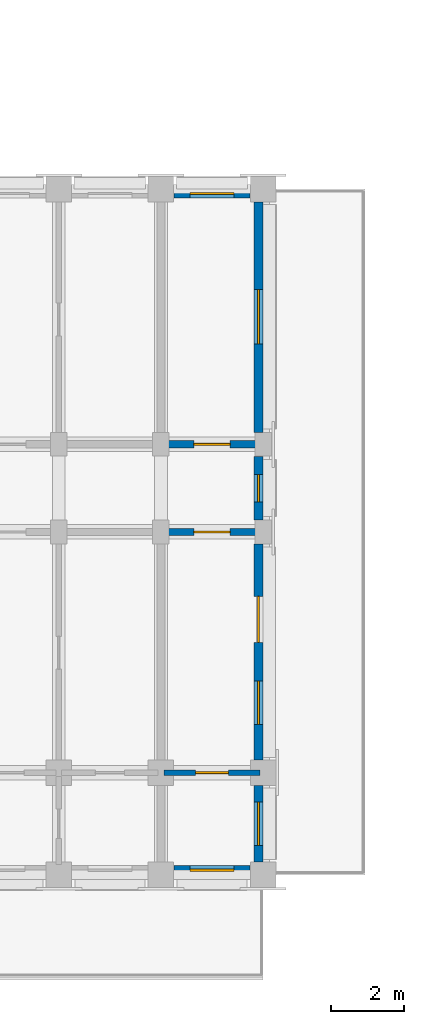
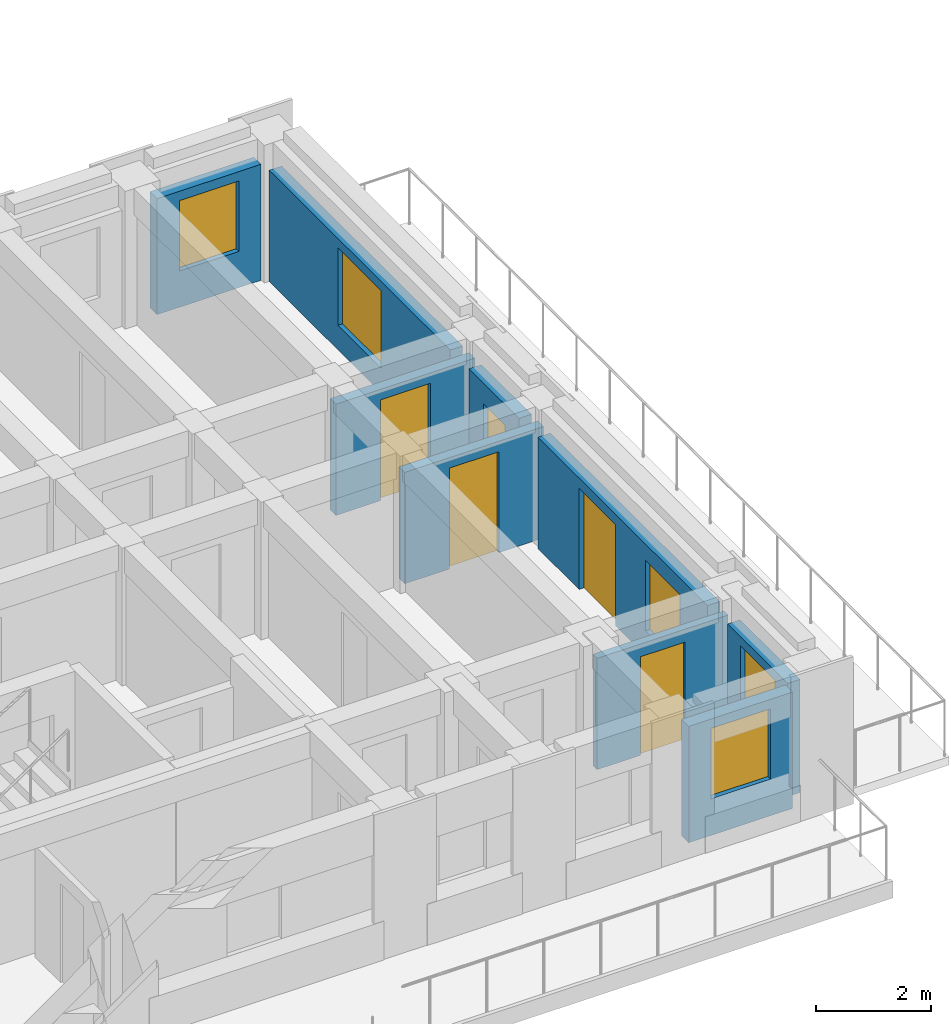
# One storey, part 22 of 54: 9 walls, 6 windows, 4 doors, 10 openings.
"""IFC4 building model written with IfcOpenShell, lengths in metres."""

from ifc_helpers import new_model, si_unit, direction, frame, frame_2d, origin, place, context, subcontext, project, spatial, rectangle, extrude, material, layer, layer_set, type_object, element, fill, save


model = new_model("IFC4")

# Units and contexts
model_context = context("Model", 3, precision=1e-05, world=origin(), true_north=direction((0.0, 1.0)))
body_context = subcontext(model_context, "Body", "Model", "MODEL_VIEW")
ifc_project = project(units=[si_unit("LENGTHUNIT", "METRE"), si_unit("AREAUNIT", "SQUARE_METRE"), si_unit("VOLUMEUNIT", "CUBIC_METRE"), si_unit("PLANEANGLEUNIT", "RADIAN"), si_unit("MASSUNIT", "GRAM", prefix="KILO")], contexts=[model_context])

# Site, building, storey
site_placement = place(None, origin())
site = spatial("IfcSite", under=ifc_project, at=site_placement, CompositionType="ELEMENT")
building_placement = place(site_placement, origin())
building = spatial("IfcBuilding", under=site, at=building_placement, Name="Kiranvali Square Residences", CompositionType="ELEMENT")
storey_placement = place(building_placement, frame((0.0, 0.0, 27.60009765625)))
storey = spatial("IfcBuildingStorey", under=building, at=storey_placement, Name="L08", CompositionType="ELEMENT", Elevation=27.60009765625)

# Wall, opening, door
ifc_material_1 = material(Name="Autoclaved aerated concrete blockwork masonry", Category="masonry")
ifc_layer_1 = layer(ifc_material_1, 0.199951171875)
ifc_layer_set_1 = layer_set([ifc_layer_1], Name="Autoclaved aerated concrete blockwork masonry")
wall_type_1 = type_object("IfcWallType", Name="WL-COR-200", PredefinedType="STANDARD", material=ifc_layer_set_1)
wall_1_placement = place(storey_placement, frame((65.0, 22.39990234375, 0.0), z_axis=(0.0, 0.0, 1.0), x_axis=(1.0, 0.0, 0.0)))
wall_1 = element("IfcWall", 1, at=wall_1_placement, inside=storey, type_object=wall_type_1, Name="L08 architectural wall WL-L08-C-A1CI-2", PredefinedType="STANDARD", context=body_context, shape_type="SweptSolid", body=[
    extrude(rectangle(XDim=2.800048828125, YDim=0.199951171875, at=frame_2d((1.39990234375, 0.0))), origin(), (0.0, 0.0, 1.0), 2.371826171875),
])
opening_1_placement = place(wall_1_placement, frame((0.89990234375, 0.0, 0.0)))
opening_1 = element("IfcOpeningElement", 2, at=opening_1_placement, cuts=wall_1, Name="Opening FD-APT-60", PredefinedType="OPENING", context=body_context, shape_type="SweptSolid", body=[
    extrude(rectangle(XDim=1.0, YDim=2.14990234375, at=frame_2d((0.5, 1.074951171875))), frame((0.0, 0.10986328125, 0.0), z_axis=(0.0, -1.0, 0.0), x_axis=(1.0, 0.0, 0.0)), (0.0, 0.0, 1.0), 0.219970703125),
])
ifc_material_2 = material(Name="Fire-rated acoustic hardwood and mineral-core door assembly", Category="wood")
door_type_1 = type_object("IfcDoorType", Name="DR-APT-1000", OperationType="NOTDEFINED", PredefinedType="DOOR", material=ifc_material_2)
door_1_placement = place(opening_1_placement, origin())
door_1 = element("IfcDoor", 3, at=door_1_placement, inside=storey, type_object=door_type_1, Name="L08 door DR-L08-2215 (DR-APT-1000)", OperationType="SINGLE_SWING_LEFT", OverallHeight=2.14990234375, OverallWidth=1.0, PredefinedType="DOOR", context=body_context, shape_type="SweptSolid", body=[
    extrude(rectangle(XDim=1.0, YDim=2.14990234375, at=frame_2d((0.5, 1.074951171875))), frame((0.0, 0.02490234375, 0.0), z_axis=(0.0, -1.0, 0.0), x_axis=(1.0, 0.0, 0.0)), (0.0, 0.0, 1.0), 0.050048828125),
])
fill(opening_1, door_1)

wall_2_placement = place(storey_placement, frame((65.0, 20.0, 0.0), z_axis=(0.0, 0.0, 1.0), x_axis=(1.0, 0.0, 0.0)))
wall_2 = element("IfcWall", 4, at=wall_2_placement, inside=storey, type_object=wall_type_1, Name="L08 architectural wall WL-L08-C-A1CO-2", PredefinedType="STANDARD", context=body_context, shape_type="SweptSolid", body=[
    extrude(rectangle(XDim=2.800048828125, YDim=0.199951171875, at=frame_2d((1.39990234375, 0.0))), origin(), (0.0, 0.0, 1.0), 2.371826171875),
])
opening_2_placement = place(wall_2_placement, frame((0.89990234375, 0.0, 0.0)))
opening_2 = element("IfcOpeningElement", 5, at=opening_2_placement, cuts=wall_2, Name="Opening FD-APT-60", PredefinedType="OPENING", context=body_context, shape_type="SweptSolid", body=[
    extrude(rectangle(XDim=1.0, YDim=2.14990234375, at=frame_2d((0.5, 1.074951171875))), frame((0.0, 0.10986328125, 0.0), z_axis=(0.0, -1.0, 0.0), x_axis=(1.0, 0.0, 0.0)), (0.0, 0.0, 1.0), 0.219970703125),
])
door_2_placement = place(opening_2_placement, origin())
door_2 = element("IfcDoor", 6, at=door_2_placement, inside=storey, type_object=door_type_1, Name="L08 door DR-L08-2217 (DR-APT-1000)", OperationType="SINGLE_SWING_LEFT", OverallHeight=2.14990234375, OverallWidth=1.0, PredefinedType="DOOR", context=body_context, shape_type="SweptSolid", body=[
    extrude(rectangle(XDim=1.0, YDim=2.14990234375, at=frame_2d((0.5, 1.074951171875))), frame((0.0, 0.02490234375, 0.0), z_axis=(0.0, -1.0, 0.0), x_axis=(1.0, 0.0, 0.0)), (0.0, 0.0, 1.0), 0.050048828125),
])
fill(opening_2, door_2)

# Wall, opening, window
ifc_material_3 = material(Name="Breathable lime-rendered clay brick masonry", Category="masonry")
ifc_layer_2 = layer(ifc_material_3, 0.25)
ifc_layer_set_2 = layer_set([ifc_layer_2], Name="Breathable lime-rendered clay brick masonry")
wall_type_2 = type_object("IfcWallType", Name="WL-EXT-250", PredefinedType="STANDARD", material=ifc_layer_set_2)
wall_3_placement = place(storey_placement, frame((65.353515625, 10.72509765625, 0.0), z_axis=(0.0, 0.0, 1.0), x_axis=(1.0, 0.0, 0.0)))
wall_3 = element("IfcWall", 7, at=wall_3_placement, inside=storey, type_object=wall_type_2, Name="L08 exterior wall C-L08-A1O-4", PredefinedType="STANDARD", context=body_context, shape_type="SweptSolid", body=[
    extrude(rectangle(XDim=2.093017578125, YDim=0.25, at=frame_2d((1.04638671875, 0.0))), origin(), (0.0, 0.0, 1.0), 2.47998046875),
])
opening_3_placement = place(wall_3_placement, frame((0.446533203125, 0.0, 0.780029296875)))
opening_3 = element("IfcOpeningElement", 8, at=opening_3_placement, cuts=wall_3, Name="Opening W-06", PredefinedType="OPENING", context=body_context, shape_type="SweptSolid", body=[
    extrude(rectangle(XDim=1.199951171875, YDim=1.5, at=frame_2d((0.60009765625, 0.75))), frame((0.0, 0.135009765625, 0.0), z_axis=(0.0, -1.0, 0.0), x_axis=(1.0, 0.0, 0.0)), (0.0, 0.0, 1.0), 0.27001953125),
])
ifc_material_4 = material(Name="Solar-control low-e double glazing", Category="glass")
window_type_1 = type_object("IfcWindowType", Name="WIN-RES-1200x1500", PartitioningType="SINGLE_PANEL", PredefinedType="WINDOW", material=ifc_material_4)
window_1_placement = place(opening_3_placement, origin())
window_1 = element("IfcWindow", 9, at=window_1_placement, inside=storey, type_object=window_type_1, Name="L08 recessed window C-L08-A1O-4", OverallHeight=1.5, OverallWidth=1.199951171875, PartitioningType="SINGLE_PANEL", PredefinedType="WINDOW", context=body_context, shape_type="SweptSolid", body=[
    extrude(rectangle(XDim=1.199951171875, YDim=1.5, at=frame_2d((0.60009765625, 0.75))), frame((0.0, 0.030029296875, 0.0), z_axis=(0.0, -1.0, 0.0), x_axis=(1.0, 0.0, 0.0)), (0.0, 0.0, 1.0), 0.06005859375),
])
fill(opening_3, window_1)

wall_4_placement = place(storey_placement, frame((65.353515625, 29.27490234375, 0.0), z_axis=(0.0, 0.0, 1.0), x_axis=(1.0, 0.0, 0.0)))
wall_4 = element("IfcWall", 10, at=wall_4_placement, inside=storey, type_object=wall_type_2, Name="L08 exterior wall C-L08-A1I-2", PredefinedType="STANDARD", context=body_context, shape_type="SweptSolid", body=[
    extrude(rectangle(XDim=2.093017578125, YDim=0.25, at=frame_2d((1.04638671875, 0.0))), origin(), (0.0, 0.0, 1.0), 2.471923828125),
])
opening_4_placement = place(wall_4_placement, frame((0.446533203125, 0.0, 0.77197265625)))
opening_4 = element("IfcOpeningElement", 11, at=opening_4_placement, cuts=wall_4, Name="Opening W-06", PredefinedType="OPENING", context=body_context, shape_type="SweptSolid", body=[
    extrude(rectangle(XDim=1.199951171875, YDim=1.5, at=frame_2d((0.60009765625, 0.75))), frame((0.0, 0.135009765625, 0.0), z_axis=(0.0, -1.0, 0.0), x_axis=(1.0, 0.0, 0.0)), (0.0, 0.0, 1.0), 0.27001953125),
])
window_2_placement = place(opening_4_placement, origin())
window_2 = element("IfcWindow", 12, at=window_2_placement, inside=storey, type_object=window_type_1, Name="L08 recessed window C-L08-A1I-2", OverallHeight=1.5, OverallWidth=1.199951171875, PartitioningType="SINGLE_PANEL", PredefinedType="WINDOW", context=body_context, shape_type="SweptSolid", body=[
    extrude(rectangle(XDim=1.199951171875, YDim=1.5, at=frame_2d((0.60009765625, 0.75))), frame((0.0, 0.030029296875, 0.0), z_axis=(0.0, -1.0, 0.0), x_axis=(1.0, 0.0, 0.0)), (0.0, 0.0, 1.0), 0.06005859375),
])
fill(opening_4, window_2)

wall_5_placement = place(storey_placement, frame((67.675048828125, 29.04638671875, 0.0), z_axis=(0.0, 0.0, 1.0), x_axis=(0.0, -1.0, 0.0)))
wall_5 = element("IfcWall", 13, at=wall_5_placement, inside=storey, type_object=wall_type_2, Name="L08 exterior wall C-L08-A1END-0", PredefinedType="STANDARD", context=body_context, shape_type="SweptSolid", body=[
    extrude(rectangle(XDim=6.31787109375, YDim=0.25, at=frame_2d((3.158935546875, 0.0))), origin(), (0.0, 0.0, 1.0), 2.371826171875),
])
opening_5_placement = place(wall_5_placement, frame((2.396484375, 0.0, 0.52197265625)))
opening_5 = element("IfcOpeningElement", 14, at=opening_5_placement, cuts=wall_5, Name="Opening W-05", PredefinedType="OPENING", context=body_context, shape_type="SweptSolid", body=[
    extrude(rectangle(XDim=1.5, YDim=1.64990234375, at=frame_2d((0.75, 0.824951171875))), frame((0.0, 0.135009765625, 0.0), z_axis=(0.0, -1.0, 0.0), x_axis=(1.0, 0.0, 0.0)), (0.0, 0.0, 1.0), 0.27001953125),
])
window_type_2 = type_object("IfcWindowType", Name="WIN-RES-1500x1650", PartitioningType="DOUBLE_PANEL_VERTICAL", PredefinedType="WINDOW", material=ifc_material_4)
window_3_placement = place(opening_5_placement, origin())
window_3 = element("IfcWindow", 15, at=window_3_placement, inside=storey, type_object=window_type_2, Name="L08 recessed window C-L08-A1END-0", OverallHeight=1.64990234375, OverallWidth=1.5, PartitioningType="DOUBLE_PANEL_VERTICAL", PredefinedType="WINDOW", context=body_context, shape_type="SweptSolid", body=[
    extrude(rectangle(XDim=1.5, YDim=1.64990234375, at=frame_2d((0.75, 0.824951171875))), frame((0.0, 0.030029296875, 0.0), z_axis=(0.0, -1.0, 0.0), x_axis=(1.0, 0.0, 0.0)), (0.0, 0.0, 1.0), 0.06005859375),
])
fill(opening_5, window_3)

wall_6_placement = place(storey_placement, frame((67.675048828125, 22.071533203125, 0.0), z_axis=(0.0, 0.0, 1.0), x_axis=(0.0, -1.0, 0.0)))
wall_6 = element("IfcWall", 16, at=wall_6_placement, inside=storey, type_object=wall_type_2, Name="L08 exterior wall C-L08-A1END-1", PredefinedType="STANDARD", context=body_context, shape_type="SweptSolid", body=[
    extrude(rectangle(XDim=1.742919921875, YDim=0.25, at=frame_2d((0.87158203125, 0.0))), origin(), (0.0, 0.0, 1.0), 2.371826171875),
])
opening_6_placement = place(wall_6_placement, frame((0.49658203125, 0.0, 0.8798828125)))
opening_6 = element("IfcOpeningElement", 17, at=opening_6_placement, cuts=wall_6, Name="Opening W-07", PredefinedType="OPENING", context=body_context, shape_type="SweptSolid", body=[
    extrude(rectangle(XDim=0.75, YDim=1.050048828125, at=frame_2d((0.375, 0.52490234375))), frame((0.0, 0.135009765625, 0.0), z_axis=(0.0, -1.0, 0.0), x_axis=(1.0, 0.0, 0.0)), (0.0, 0.0, 1.0), 0.27001953125),
])
window_type_3 = type_object("IfcWindowType", Name="WIN-WET-750x1050", PartitioningType="SINGLE_PANEL", PredefinedType="WINDOW", material=ifc_material_4)
window_4_placement = place(opening_6_placement, origin())
window_4 = element("IfcWindow", 18, at=window_4_placement, inside=storey, type_object=window_type_3, Name="L08 recessed window C-L08-A1END-1", OverallHeight=1.050048828125, OverallWidth=0.75, PartitioningType="SINGLE_PANEL", PredefinedType="WINDOW", context=body_context, shape_type="SweptSolid", body=[
    extrude(rectangle(XDim=0.75, YDim=1.050048828125, at=frame_2d((0.375, 0.52490234375))), frame((0.0, 0.030029296875, 0.0), z_axis=(0.0, -1.0, 0.0), x_axis=(1.0, 0.0, 0.0)), (0.0, 0.0, 1.0), 0.06005859375),
])
fill(opening_6, window_4)

# Wall, openings, door, window
wall_7_placement = place(storey_placement, frame((67.675048828125, 19.67138671875, 0.0), z_axis=(0.0, 0.0, 1.0), x_axis=(0.0, -1.0, 0.0)))
wall_7 = element("IfcWall", 19, at=wall_7_placement, inside=storey, type_object=wall_type_2, Name="L08 exterior wall C-L08-A1END-2", PredefinedType="STANDARD", context=body_context, shape_type="SweptSolid", body=[
    extrude(rectangle(XDim=5.91796875, YDim=0.25, at=frame_2d((2.958984375, 0.0))), origin(), (0.0, 0.0, 1.0), 2.371826171875),
])
opening_7_placement = place(wall_7_placement, frame((3.75390625, 0.0, 0.52197265625)))
opening_7 = element("IfcOpeningElement", 20, at=opening_7_placement, cuts=wall_7, Name="Opening W-06", PredefinedType="OPENING", context=body_context, shape_type="SweptSolid", body=[
    extrude(rectangle(XDim=1.199951171875, YDim=1.5, at=frame_2d((0.60009765625, 0.75))), frame((0.0, 0.135009765625, 0.0), z_axis=(0.0, -1.0, 0.0), x_axis=(1.0, 0.0, 0.0)), (0.0, 0.0, 1.0), 0.27001953125),
])
opening_8_placement = place(wall_7_placement, frame((1.44140625, 0.0, 0.0)))
opening_8 = element("IfcOpeningElement", 21, at=opening_8_placement, cuts=wall_7, Name="Opening ED-BAL-2", PredefinedType="OPENING", context=body_context, shape_type="SweptSolid", body=[
    extrude(rectangle(XDim=1.260009765625, YDim=2.14990234375, at=frame_2d((0.6298828125, 1.074951171875))), frame((0.0, 0.135009765625, 0.0), z_axis=(0.0, -1.0, 0.0), x_axis=(1.0, 0.0, 0.0)), (0.0, 0.0, 1.0), 0.27001953125),
])
ifc_material_5 = material(Name="Anodised bronze aluminium framing", Category="aluminium")
door_type_2 = type_object("IfcDoorType", Name="DR-BAL-1260", OperationType="NOTDEFINED", PredefinedType="DOOR", material=ifc_material_5)
door_3_placement = place(opening_8_placement, origin())
door_3 = element("IfcDoor", 22, at=door_3_placement, inside=storey, type_object=door_type_2, Name="L08 balcony terrace door", OperationType="SINGLE_SWING_LEFT", OverallHeight=2.14990234375, OverallWidth=1.260009765625, PredefinedType="DOOR", context=body_context, shape_type="SweptSolid", body=[
    extrude(rectangle(XDim=1.260009765625, YDim=2.14990234375, at=frame_2d((0.6298828125, 1.074951171875))), frame((0.0, 0.02490234375, 0.0), z_axis=(0.0, -1.0, 0.0), x_axis=(1.0, 0.0, 0.0)), (0.0, 0.0, 1.0), 0.050048828125),
])
fill(opening_8, door_3)
window_5_placement = place(opening_7_placement, origin())
window_5 = element("IfcWindow", 23, at=window_5_placement, inside=storey, type_object=window_type_1, Name="L08 recessed window C-L08-A1END-2", OverallHeight=1.5, OverallWidth=1.199951171875, PartitioningType="SINGLE_PANEL", PredefinedType="WINDOW", context=body_context, shape_type="SweptSolid", body=[
    extrude(rectangle(XDim=1.199951171875, YDim=1.5, at=frame_2d((0.60009765625, 0.75))), frame((0.0, 0.030029296875, 0.0), z_axis=(0.0, -1.0, 0.0), x_axis=(1.0, 0.0, 0.0)), (0.0, 0.0, 1.0), 0.06005859375),
])
fill(opening_7, window_5)

# Wall, opening, window
wall_8_placement = place(storey_placement, frame((67.675048828125, 13.04638671875, 0.0), z_axis=(0.0, 0.0, 1.0), x_axis=(0.0, -1.0, 0.0)))
wall_8 = element("IfcWall", 24, at=wall_8_placement, inside=storey, type_object=wall_type_2, Name="L08 exterior wall C-L08-A1END-3", PredefinedType="STANDARD", context=body_context, shape_type="SweptSolid", body=[
    extrude(rectangle(XDim=2.0927734375, YDim=0.25, at=frame_2d((1.04638671875, 0.0))), origin(), (0.0, 0.0, 1.0), 2.411865234375),
])
opening_9_placement = place(wall_8_placement, frame((0.446533203125, 0.0, 0.7119140625)))
opening_9 = element("IfcOpeningElement", 25, at=opening_9_placement, cuts=wall_8, Name="Opening W-06", PredefinedType="OPENING", context=body_context, shape_type="SweptSolid", body=[
    extrude(rectangle(XDim=1.199951171875, YDim=1.5, at=frame_2d((0.60009765625, 0.75))), frame((0.0, 0.135009765625, 0.0), z_axis=(0.0, -1.0, 0.0), x_axis=(1.0, 0.0, 0.0)), (0.0, 0.0, 1.0), 0.27001953125),
])
window_6_placement = place(opening_9_placement, origin())
window_6 = element("IfcWindow", 26, at=window_6_placement, inside=storey, type_object=window_type_1, Name="L08 recessed window C-L08-A1END-3", OverallHeight=1.5, OverallWidth=1.199951171875, PartitioningType="SINGLE_PANEL", PredefinedType="WINDOW", context=body_context, shape_type="SweptSolid", body=[
    extrude(rectangle(XDim=1.199951171875, YDim=1.5, at=frame_2d((0.60009765625, 0.75))), frame((0.0, 0.030029296875, 0.0), z_axis=(0.0, -1.0, 0.0), x_axis=(1.0, 0.0, 0.0)), (0.0, 0.0, 1.0), 0.06005859375),
])
fill(opening_9, window_6)

# Wall, opening, door
ifc_layer_3 = layer(ifc_material_1, 0.14990234375)
ifc_layer_set_3 = layer_set([ifc_layer_3], Name="Autoclaved aerated concrete blockwork masonry")
wall_type_3 = type_object("IfcWallType", Name="WL-WET-150", PredefinedType="PLUMBINGWALL", material=ifc_layer_set_3)
wall_9_placement = place(storey_placement, frame((65.080078125, 13.39990234375, 0.0), z_axis=(0.0, 0.0, 1.0), x_axis=(1.0, 0.0, 0.0)))
wall_9 = element("IfcWall", 27, at=wall_9_placement, inside=storey, type_object=wall_type_3, Name="L08 architectural wall WL-L08-C-A1SP-2", PredefinedType="PLUMBINGWALL", context=body_context, shape_type="SweptSolid", body=[
    extrude(rectangle(XDim=2.639892578125, YDim=0.14990234375, at=frame_2d((1.31982421875, 0.0))), origin(), (0.0, 0.0, 1.0), 2.371826171875),
])
opening_10_placement = place(wall_9_placement, frame((0.8701171875, 0.0, 0.0)))
opening_10 = element("IfcOpeningElement", 28, at=opening_10_placement, cuts=wall_9, Name="Opening ID-1", PredefinedType="OPENING", context=body_context, shape_type="SweptSolid", body=[
    extrude(rectangle(XDim=0.89990234375, YDim=2.10009765625, at=frame_2d((0.449951171875, 1.050048828125))), frame((0.0, 0.0849609375, 0.0), z_axis=(0.0, -1.0, 0.0), x_axis=(1.0, 0.0, 0.0)), (0.0, 0.0, 1.0), 0.169921875),
])
ifc_material_6 = material(Name="Solid seasoned teak hardwood joinery", Category="wood")
door_type_3 = type_object("IfcDoorType", Name="DR-INT-900", OperationType="NOTDEFINED", PredefinedType="DOOR", material=ifc_material_6)
door_4_placement = place(opening_10_placement, frame((0.89990234375, 0.0, 0.0), z_axis=(0.0, 0.0, 1.0), x_axis=(-1.0, 0.0, 0.0)))
door_4 = element("IfcDoor", 29, at=door_4_placement, inside=storey, type_object=door_type_3, Name="L08 door DR-L08-2216 (DR-INT-900)", OperationType="SINGLE_SWING_RIGHT", OverallHeight=2.10009765625, OverallWidth=0.89990234375, PredefinedType="DOOR", context=body_context, shape_type="SweptSolid", body=[
    extrude(rectangle(XDim=0.89990234375, YDim=2.10009765625, at=frame_2d((0.449951171875, 1.050048828125))), frame((0.0, 0.02490234375, 0.0), z_axis=(0.0, -1.0, 0.0), x_axis=(1.0, 0.0, 0.0)), (0.0, 0.0, 1.0), 0.050048828125),
])
fill(opening_10, door_4)

save(model, "model.ifc")
